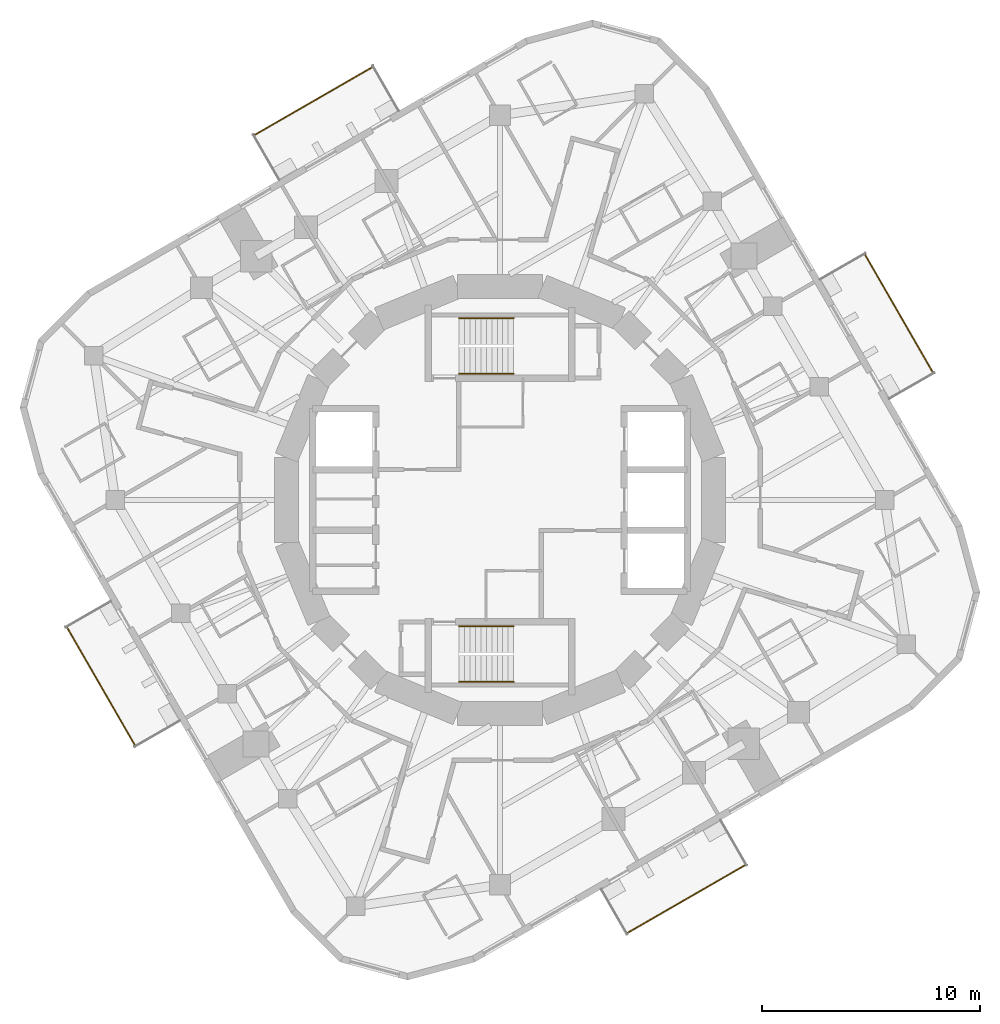
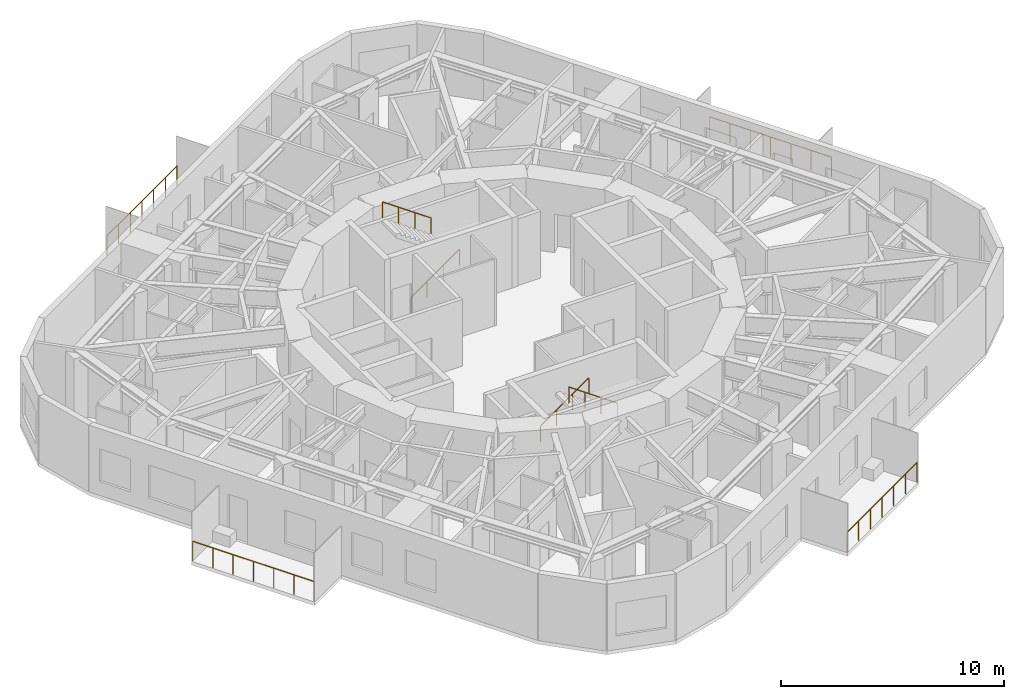
# One storey, part 10 of 11: 8 railings.
"""IFC4 building model written with IfcOpenShell, lengths in metres."""

import ifcopenshell
import ifcopenshell.guid

model = None  # the IFC model being written
_history = None  # IfcOwnerHistory: only IFC2X3 demands one
_inside = {}  # id of a spatial element -> (the spatial element, [elements in it])
_under = {}  # id of a project, library or spatial element -> (it, [spatial elements below it])
_declared = {}  # id of a project -> (the project, [libraries it declares])
_typed = {}  # id of a type object -> (the type object, [elements of that type])
_made_of = {}  # id of a material, layer set ... -> (it, [elements and type objects made of it])


def new_model(schema):
    """Start an empty IFC model of exactly this schema.

    Asked for "IFC4X3", IfcOpenShell would pick the latest addendum, in which some entities
    have other attributes; the version numbers below select the first issue.
    IFC2X3 requires an IfcOwnerHistory on every rooted entity: one is made here for all.
    """
    global model, _history
    if schema == "IFC4X3":
        model = ifcopenshell.file(schema_version=(4, 3, 0, 0))
    else:
        model = ifcopenshell.file(schema=schema)
    _inside.clear()
    _under.clear()
    _declared.clear()
    _typed.clear()
    _made_of.clear()
    _history = None
    if model.schema == "IFC2X3":
        org = make("IfcOrganization", Name="unknown")
        user = make(
            "IfcPersonAndOrganization",
            ThePerson=make("IfcPerson", FamilyName="unknown"),
            TheOrganization=org,
        )
        app = make(
            "IfcApplication",
            ApplicationDeveloper=org,
            Version="unknown",
            ApplicationFullName="unknown",
            ApplicationIdentifier="unknown",
        )
        _history = make(
            "IfcOwnerHistory",
            OwningUser=user,
            OwningApplication=app,
            ChangeAction="ADDED",
            CreationDate=0,
        )
    return model


def make(cls, **values):
    """One entity of the class cls with the attributes given. An attribute that is None is left unset."""
    return model.create_entity(
        cls, **{name: value for name, value in values.items() if value is not None}
    )


def rooted(cls, **values):
    """An entity with a GlobalId (a new one), such as an element, a storey or a relation."""
    return make(cls, GlobalId=ifcopenshell.guid.new(), OwnerHistory=_history, **values)


def si_unit(unit_type, name, prefix=None):
    """IfcSIUnit, for example si_unit("LENGTHUNIT", "METRE", prefix="MILLI")."""
    return make("IfcSIUnit", UnitType=unit_type, Prefix=prefix, Name=name)


def assignment(units):
    """IfcUnitAssignment: the units of a project."""
    return None if units is None else make("IfcUnitAssignment", Units=units)


def point(xyz):
    """IfcCartesianPoint."""
    return None if xyz is None else make("IfcCartesianPoint", Coordinates=xyz)


def direction(xyz):
    """IfcDirection."""
    return None if xyz is None else make("IfcDirection", DirectionRatios=xyz)


def frame(location, z_axis=None, x_axis=None):
    """IfcAxis2Placement3D, a coordinate frame: its origin and axes. An axis left out is left unset."""
    return make(
        "IfcAxis2Placement3D",
        Location=point(location),
        Axis=direction(z_axis),
        RefDirection=direction(x_axis),
    )


def frame_2d(location, x_axis=None):
    """IfcAxis2Placement2D, a coordinate frame in the plane: its origin and x axis."""
    return make(
        "IfcAxis2Placement2D", Location=point(location), RefDirection=direction(x_axis)
    )


def origin():
    """The frame at (0, 0, 0) with its axes left unset."""
    return frame((0.0, 0.0, 0.0))


def origin_2d():
    """The frame at (0, 0) in the plane with its x axis left unset."""
    return frame_2d((0.0, 0.0))


def place(relative_to, where):
    """IfcLocalPlacement: puts the frame where relative to a parent placement (None: the world)."""
    return make(
        "IfcLocalPlacement", PlacementRelTo=relative_to, RelativePlacement=where
    )


def context(
    kind, dimensions, precision=None, world=None, true_north=None, identifier=None
):
    """IfcGeometricRepresentationContext, for example the 3D "Model" context."""
    return make(
        "IfcGeometricRepresentationContext",
        ContextIdentifier=identifier,
        ContextType=kind,
        CoordinateSpaceDimension=dimensions,
        Precision=precision,
        WorldCoordinateSystem=world,
        TrueNorth=true_north,
    )


def subcontext(parent, identifier, kind, view, scale=None):
    """IfcGeometricRepresentationSubContext, for example "Body" below "Model"."""
    return make(
        "IfcGeometricRepresentationSubContext",
        ContextIdentifier=identifier,
        ContextType=kind,
        ParentContext=parent,
        TargetScale=scale,
        TargetView=view,
    )


def project(units=None, contexts=None):
    """IfcProject with its units and contexts."""
    return rooted(
        "IfcProject",
        Name="project",
        RepresentationContexts=contexts,
        UnitsInContext=assignment(units),
    )


def spatial(cls, under=None, at=None, **own):
    """A site, building, storey or space (cls), placed at a placement, below another one or the project."""
    s = rooted(cls, ObjectPlacement=at, **own)
    if under is not None:
        _under.setdefault(under.id(), (under, []))[1].append(s)
    return s


def profile(cls, at=None, kind="AREA", **sizes):
    """A parametric profile (cls). Its sizes go by their IFC names, for example OverallWidth=200.0."""
    return make(cls, ProfileType=kind, Position=at, **sizes)


def circle(**sizes):
    """IfcCircleProfileDef."""
    return profile("IfcCircleProfileDef", **sizes)


def extrude(swept, where, along, depth):
    """IfcExtrudedAreaSolid: the profile swept, set in the frame where, extruded along a direction by depth."""
    return make(
        "IfcExtrudedAreaSolid",
        SweptArea=swept,
        Position=where,
        ExtrudedDirection=direction(along),
        Depth=depth,
    )


def shape(context_of_items, identifier, shape_type, items):
    """IfcShapeRepresentation: the items that make up one representation, for example the "Body"."""
    return make(
        "IfcShapeRepresentation",
        ContextOfItems=context_of_items,
        RepresentationIdentifier=identifier,
        RepresentationType=shape_type,
        Items=items,
    )


def material(Name=None, Category=None):
    """IfcMaterial."""
    return make("IfcMaterial", Name=Name, Category=Category)


def made_of(thing, what):
    """Note that an element or type object is made of a material, layer set ...; save() writes the relation."""
    if what is not None:
        _made_of.setdefault(what.id(), (what, []))[1].append(thing)
    return thing


def type_object(cls, material=None, **own):
    """A type object (cls), such as IfcWallType, which elements share."""
    return made_of(rooted(cls, **own), material)


def element(
    cls,
    number,
    at=None,
    inside=None,
    cuts=None,
    type_object=None,
    material=None,
    context=None,
    identifier="Body",
    shape_type=None,
    held_by="IfcProductDefinitionShape",
    body=None,
    shapes=None,
    **own,
):
    """One element of the class cls, such as IfcWall. Its Tag is "e" and its number.

    at: its placement. inside: the storey or other place that contains it. cuts: it is an
    opening in that element (IfcRelVoidsElement). A single representation is given by context,
    identifier, shape_type and body (its items); several are given by shapes. held_by: the class
    of the entity that holds the representations. save() writes the other relations.
    """
    e = rooted(cls, Tag="e%d" % number, ObjectPlacement=at, **own)
    if body is not None:
        shapes = [shape(context, identifier, shape_type, body)]
    if shapes is not None:
        e.Representation = make(held_by, Representations=shapes)
    if inside is not None:
        _inside.setdefault(inside.id(), (inside, []))[1].append(e)
    if cuts is not None:
        rooted(
            "IfcRelVoidsElement", RelatingBuildingElement=cuts, RelatedOpeningElement=e
        )
    if type_object is not None:
        _typed.setdefault(type_object.id(), (type_object, []))[1].append(e)
    return made_of(e, material)


def aggregate(whole, parts):
    """IfcRelAggregates: a whole, such as a stair, and the parts it consists of."""
    return rooted("IfcRelAggregates", RelatingObject=whole, RelatedObjects=parts)


def save(model, path):
    """Write the relations noted so far, then the file.

    IfcRelAggregates (storeys below a building ...), IfcRelContainedInSpatialStructure (elements
    in a storey), IfcRelDefinesByType, IfcRelAssociatesMaterial and IfcRelDeclares: one each for
    every whole, place, type object, material and project.
    """
    for whole, parts in _under.values():
        aggregate(whole, parts)
    for where, things in _inside.values():
        rooted(
            "IfcRelContainedInSpatialStructure",
            RelatedElements=things,
            RelatingStructure=where,
        )
    for kind, things in _typed.values():
        rooted("IfcRelDefinesByType", RelatedObjects=things, RelatingType=kind)
    for what, things in _made_of.values():
        rooted("IfcRelAssociatesMaterial", RelatedObjects=things, RelatingMaterial=what)
    for by, libraries in _declared.values():
        rooted("IfcRelDeclares", RelatingContext=by, RelatedDefinitions=libraries)
    model.write(path)


model = new_model("IFC4")

# Units and contexts
model_context = context("Model", 3, precision=1e-05, world=origin(), true_north=direction((0.0, 1.0)))
body_context = subcontext(model_context, "Body", "Model", "MODEL_VIEW")
ifc_project = project(units=[si_unit("LENGTHUNIT", "METRE"), si_unit("AREAUNIT", "SQUARE_METRE"), si_unit("VOLUMEUNIT", "CUBIC_METRE"), si_unit("PLANEANGLEUNIT", "RADIAN"), si_unit("MASSUNIT", "GRAM", prefix="KILO")], contexts=[model_context])

# Site, building, storey
site_placement = place(None, origin())
site = spatial("IfcSite", under=ifc_project, at=site_placement, CompositionType="ELEMENT")
building_placement = place(site_placement, origin())
building = spatial("IfcBuilding", under=site, at=building_placement, Name="Nakasero Lantern House", CompositionType="ELEMENT")
storey_placement = place(building_placement, frame((0.0, 0.0, 253.89990234375)))
storey = spatial("IfcBuildingStorey", under=building, at=storey_placement, Name="L62", CompositionType="ELEMENT", Elevation=253.89990234375)

# Railings
ifc_material_1 = material(Name="Aluminium 6063-T6", Category="aluminium")
railing_type_1 = type_object("IfcRailingType", Name="Balcony guard 1100", PredefinedType="BALUSTRADE", material=ifc_material_1)
railing_1_placement = place(storey_placement, frame((19.894775390625, 5.84130859375, 0.0)))
element("IfcRailing", 1, at=railing_1_placement, inside=storey, type_object=railing_type_1, Name="Balcony guard L62 BAL0", PredefinedType="BALUSTRADE", context=body_context, shape_type="SweptSolid", body=[
    extrude(circle(Radius=0.02392578125, at=origin_2d()), frame((0.0, 0.0, 1.076171875), z_axis=(-0.500007975732, 0.866020798945, 0.0), x_axis=(-0.866020798945, -0.500007975732, 0.0)), (0.0, 0.0, 1.0), 6.29150390625),
    extrude(circle(Radius=0.02099609375, at=origin_2d()), origin(), (0.0, 0.0, 1.0), 1.052001953125),
    extrude(circle(Radius=0.02099609375, at=origin_2d()), frame((-0.5244140625, 0.908203125, 0.0)), (0.0, 0.0, 1.0), 1.052001953125),
    extrude(circle(Radius=0.02099609375, at=origin_2d()), frame((-1.048583984375, 1.816162109375, 0.0)), (0.0, 0.0, 1.0), 1.052001953125),
    extrude(circle(Radius=0.02099609375, at=origin_2d()), frame((-1.57275390625, 2.72412109375, 0.0)), (0.0, 0.0, 1.0), 1.052001953125),
    extrude(circle(Radius=0.02099609375, at=origin_2d()), frame((-2.09716796875, 3.63232421875, 0.0)), (0.0, 0.0, 1.0), 1.052001953125),
    extrude(circle(Radius=0.02099609375, at=origin_2d()), frame((-2.62158203125, 4.54052734375, 0.0)), (0.0, 0.0, 1.0), 1.052001953125),
    extrude(circle(Radius=0.02099609375, at=origin_2d()), frame((-3.145751953125, 5.448486328125, 0.0)), (0.0, 0.0, 1.0), 1.052001953125),
])
railing_2_placement = place(storey_placement, frame((-5.84130859375, 19.894775390625, 0.0)))
element("IfcRailing", 2, at=railing_2_placement, inside=storey, type_object=railing_type_1, Name="Balcony guard L62 BAL1", PredefinedType="BALUSTRADE", context=body_context, shape_type="SweptSolid", body=[
    extrude(circle(Radius=0.02392578125, at=origin_2d()), frame((0.0, 0.0, 1.076171875), z_axis=(-0.866020798945, -0.500007975732, 0.0), x_axis=(0.500007975732, -0.866020798945, 0.0)), (0.0, 0.0, 1.0), 6.29150390625),
    extrude(circle(Radius=0.02099609375, at=origin_2d()), origin(), (0.0, 0.0, 1.0), 1.052001953125),
    extrude(circle(Radius=0.02099609375, at=origin_2d()), frame((-0.908203125, -0.5244140625, 0.0)), (0.0, 0.0, 1.0), 1.052001953125),
    extrude(circle(Radius=0.02099609375, at=origin_2d()), frame((-1.816162109375, -1.048583984375, 0.0)), (0.0, 0.0, 1.0), 1.052001953125),
    extrude(circle(Radius=0.02099609375, at=origin_2d()), frame((-2.72412109375, -1.57275390625, 0.0)), (0.0, 0.0, 1.0), 1.052001953125),
    extrude(circle(Radius=0.02099609375, at=origin_2d()), frame((-3.63232421875, -2.09716796875, 0.0)), (0.0, 0.0, 1.0), 1.052001953125),
    extrude(circle(Radius=0.02099609375, at=origin_2d()), frame((-4.54052734375, -2.62158203125, 0.0)), (0.0, 0.0, 1.0), 1.052001953125),
    extrude(circle(Radius=0.02099609375, at=origin_2d()), frame((-5.448486328125, -3.145751953125, 0.0)), (0.0, 0.0, 1.0), 1.052001953125),
])
railing_3_placement = place(storey_placement, frame((-19.894775390625, -5.84130859375, 0.0)))
element("IfcRailing", 3, at=railing_3_placement, inside=storey, type_object=railing_type_1, Name="Balcony guard L62 BAL2", PredefinedType="BALUSTRADE", context=body_context, shape_type="SweptSolid", body=[
    extrude(circle(Radius=0.02392578125, at=origin_2d()), frame((0.0, 0.0, 1.076171875), z_axis=(0.500007975732, -0.866020798945, 0.0), x_axis=(0.866020798945, 0.500007975732, 0.0)), (0.0, 0.0, 1.0), 6.29150390625),
    extrude(circle(Radius=0.02099609375, at=origin_2d()), origin(), (0.0, 0.0, 1.0), 1.052001953125),
    extrude(circle(Radius=0.02099609375, at=origin_2d()), frame((0.5244140625, -0.908203125, 0.0)), (0.0, 0.0, 1.0), 1.052001953125),
    extrude(circle(Radius=0.02099609375, at=origin_2d()), frame((1.048583984375, -1.816162109375, 0.0)), (0.0, 0.0, 1.0), 1.052001953125),
    extrude(circle(Radius=0.02099609375, at=origin_2d()), frame((1.57275390625, -2.72412109375, 0.0)), (0.0, 0.0, 1.0), 1.052001953125),
    extrude(circle(Radius=0.02099609375, at=origin_2d()), frame((2.09716796875, -3.63232421875, 0.0)), (0.0, 0.0, 1.0), 1.052001953125),
    extrude(circle(Radius=0.02099609375, at=origin_2d()), frame((2.62158203125, -4.54052734375, 0.0)), (0.0, 0.0, 1.0), 1.052001953125),
    extrude(circle(Radius=0.02099609375, at=origin_2d()), frame((3.145751953125, -5.448486328125, 0.0)), (0.0, 0.0, 1.0), 1.052001953125),
])
railing_4_placement = place(storey_placement, frame((5.84130859375, -19.894775390625, 0.0)))
element("IfcRailing", 4, at=railing_4_placement, inside=storey, type_object=railing_type_1, Name="Balcony guard L62 BAL3", PredefinedType="BALUSTRADE", context=body_context, shape_type="SweptSolid", body=[
    extrude(circle(Radius=0.02392578125, at=origin_2d()), frame((0.0, 0.0, 1.076171875), z_axis=(0.866020798945, 0.500007975732, 0.0), x_axis=(-0.500007975732, 0.866020798945, 0.0)), (0.0, 0.0, 1.0), 6.29150390625),
    extrude(circle(Radius=0.02099609375, at=origin_2d()), origin(), (0.0, 0.0, 1.0), 1.052001953125),
    extrude(circle(Radius=0.02099609375, at=origin_2d()), frame((0.908203125, 0.5244140625, 0.0)), (0.0, 0.0, 1.0), 1.052001953125),
    extrude(circle(Radius=0.02099609375, at=origin_2d()), frame((1.816162109375, 1.048583984375, 0.0)), (0.0, 0.0, 1.0), 1.052001953125),
    extrude(circle(Radius=0.02099609375, at=origin_2d()), frame((2.72412109375, 1.57275390625, 0.0)), (0.0, 0.0, 1.0), 1.052001953125),
    extrude(circle(Radius=0.02099609375, at=origin_2d()), frame((3.63232421875, 2.09716796875, 0.0)), (0.0, 0.0, 1.0), 1.052001953125),
    extrude(circle(Radius=0.02099609375, at=origin_2d()), frame((4.54052734375, 2.62158203125, 0.0)), (0.0, 0.0, 1.0), 1.052001953125),
    extrude(circle(Radius=0.02099609375, at=origin_2d()), frame((5.448486328125, 3.145751953125, 0.0)), (0.0, 0.0, 1.0), 1.052001953125),
])
ifc_material_2 = material(Name="Stainless steel 316", Category="steel")
railing_type_2 = type_object("IfcRailingType", Name="Stair handrail 900", PredefinedType="HANDRAIL", material=ifc_material_2)
railing_5_placement = place(storey_placement, frame((-1.875, 5.800048828125, 0.175048828125)))
element("IfcRailing", 5, at=railing_5_placement, inside=storey, type_object=railing_type_2, Name="Handrail ST1 L62 flight 1", PredefinedType="HANDRAIL", context=body_context, shape_type="SweptSolid", body=[
    extrude(circle(Radius=0.02392578125, at=origin_2d()), frame((0.0, 0.0, 0.8759765625), z_axis=(0.819231920519, 0.0, 0.573462344363), x_axis=(0.0, 1.0, 0.0)), (0.0, 0.0, 1.0), 3.0517578125),
    extrude(circle(Radius=0.02099609375, at=origin_2d()), origin(), (0.0, 0.0, 1.0), 0.851806640625),
    extrude(circle(Radius=0.02099609375, at=origin_2d()), frame((0.833251953125, 0.0, 0.583251953125)), (0.0, 0.0, 1.0), 0.851806640625),
    extrude(circle(Radius=0.02099609375, at=origin_2d()), frame((1.666748046875, 0.0, 1.166748046875)), (0.0, 0.0, 1.0), 0.851806640625),
    extrude(circle(Radius=0.02099609375, at=origin_2d()), frame((2.5, 0.0, 1.75)), (0.0, 0.0, 1.0), 0.851806640625),
])
railing_6_placement = place(storey_placement, frame((0.625, 8.35009765625, 2.10009765625)))
element("IfcRailing", 6, at=railing_6_placement, inside=storey, type_object=railing_type_2, Name="Handrail ST1 L62 flight 2", PredefinedType="HANDRAIL", context=body_context, shape_type="SweptSolid", body=[
    extrude(circle(Radius=0.02392578125, at=origin_2d()), frame((0.0, 0.0, 0.8759765625), z_axis=(-0.819231920519, 0.0, 0.573462344363), x_axis=(0.0, -1.0, 0.0)), (0.0, 0.0, 1.0), 3.0517578125),
    extrude(circle(Radius=0.02099609375, at=origin_2d()), origin(), (0.0, 0.0, 1.0), 0.851806640625),
    extrude(circle(Radius=0.02099609375, at=origin_2d()), frame((-0.833251953125, 0.0, 0.583251953125)), (0.0, 0.0, 1.0), 0.851806640625),
    extrude(circle(Radius=0.02099609375, at=origin_2d()), frame((-1.666748046875, 0.0, 1.166748046875)), (0.0, 0.0, 1.0), 0.851806640625),
    extrude(circle(Radius=0.02099609375, at=origin_2d()), frame((-2.5, 0.0, 1.75)), (0.0, 0.0, 1.0), 0.851806640625),
])
railing_7_placement = place(storey_placement, frame((-1.875, -5.800048828125, 0.175048828125)))
element("IfcRailing", 7, at=railing_7_placement, inside=storey, type_object=railing_type_2, Name="Handrail ST2 L62 flight 1", PredefinedType="HANDRAIL", context=body_context, shape_type="SweptSolid", body=[
    extrude(circle(Radius=0.02392578125, at=origin_2d()), frame((0.0, 0.0, 0.8759765625), z_axis=(0.819231920519, 0.0, 0.573462344363), x_axis=(0.0, 1.0, 0.0)), (0.0, 0.0, 1.0), 3.0517578125),
    extrude(circle(Radius=0.02099609375, at=origin_2d()), origin(), (0.0, 0.0, 1.0), 0.851806640625),
    extrude(circle(Radius=0.02099609375, at=origin_2d()), frame((0.833251953125, 0.0, 0.583251953125)), (0.0, 0.0, 1.0), 0.851806640625),
    extrude(circle(Radius=0.02099609375, at=origin_2d()), frame((1.666748046875, 0.0, 1.166748046875)), (0.0, 0.0, 1.0), 0.851806640625),
    extrude(circle(Radius=0.02099609375, at=origin_2d()), frame((2.5, 0.0, 1.75)), (0.0, 0.0, 1.0), 0.851806640625),
])
railing_8_placement = place(storey_placement, frame((0.625, -8.35009765625, 2.10009765625)))
element("IfcRailing", 8, at=railing_8_placement, inside=storey, type_object=railing_type_2, Name="Handrail ST2 L62 flight 2", PredefinedType="HANDRAIL", context=body_context, shape_type="SweptSolid", body=[
    extrude(circle(Radius=0.02392578125, at=origin_2d()), frame((0.0, 0.0, 0.8759765625), z_axis=(-0.819231920519, 0.0, 0.573462344363), x_axis=(0.0, -1.0, 0.0)), (0.0, 0.0, 1.0), 3.0517578125),
    extrude(circle(Radius=0.02099609375, at=origin_2d()), origin(), (0.0, 0.0, 1.0), 0.851806640625),
    extrude(circle(Radius=0.02099609375, at=origin_2d()), frame((-0.833251953125, 0.0, 0.583251953125)), (0.0, 0.0, 1.0), 0.851806640625),
    extrude(circle(Radius=0.02099609375, at=origin_2d()), frame((-1.666748046875, 0.0, 1.166748046875)), (0.0, 0.0, 1.0), 0.851806640625),
    extrude(circle(Radius=0.02099609375, at=origin_2d()), frame((-2.5, 0.0, 1.75)), (0.0, 0.0, 1.0), 0.851806640625),
])

save(model, "model.ifc")
